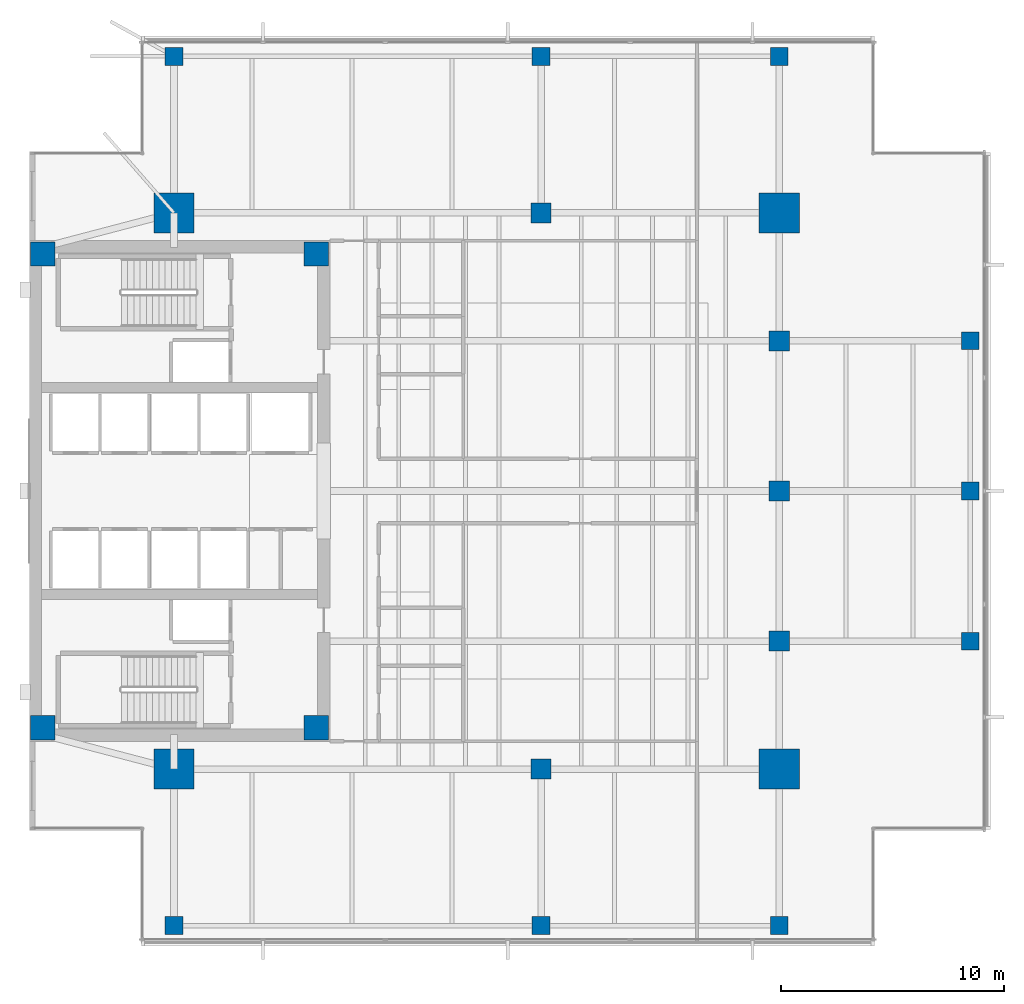
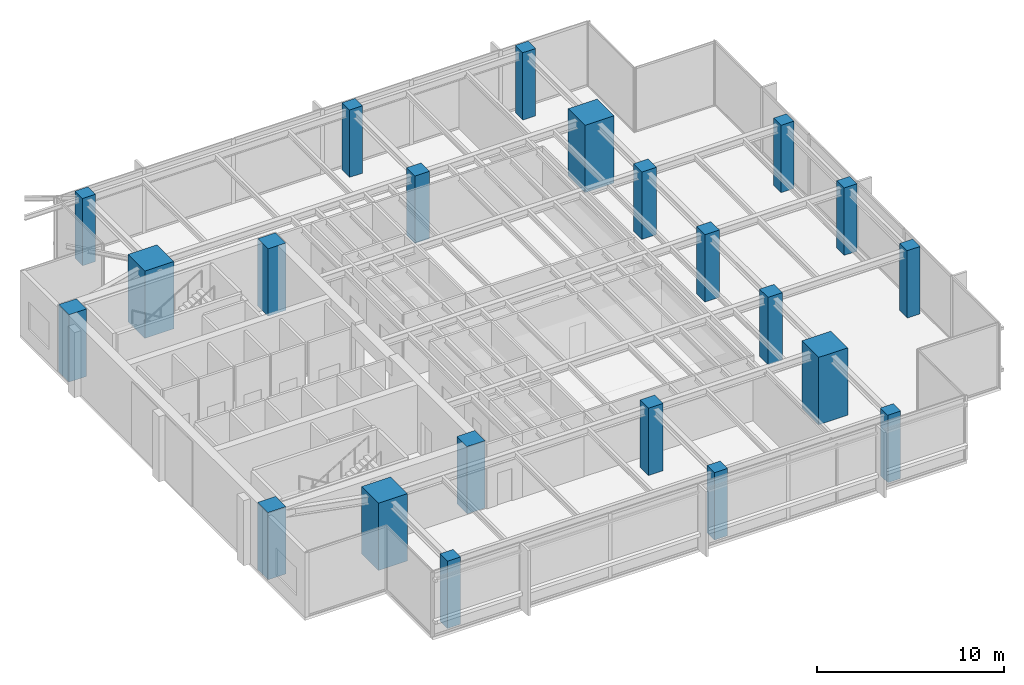
# One storey, part 1 of 14: 22 columns.
"""IFC4 building model written with IfcOpenShell, lengths in metres."""

from ifc_helpers import new_model, si_unit, direction, frame, origin, origin_2d, place, context, subcontext, project, spatial, rectangle, extrude, material, material_profile, profile_set, type_object, element, save


model = new_model("IFC4")

# Units and contexts
model_context = context("Model", 3, precision=1e-05, world=origin(), true_north=direction((0.0, 1.0)))
body_context = subcontext(model_context, "Body", "Model", "MODEL_VIEW")
ifc_project = project(units=[si_unit("LENGTHUNIT", "METRE"), si_unit("AREAUNIT", "SQUARE_METRE"), si_unit("VOLUMEUNIT", "CUBIC_METRE"), si_unit("PLANEANGLEUNIT", "RADIAN"), si_unit("MASSUNIT", "GRAM", prefix="KILO")], contexts=[model_context])

# Site, building, storey
site_placement = place(None, origin())
site = spatial("IfcSite", under=ifc_project, at=site_placement, CompositionType="ELEMENT")
building_placement = place(site_placement, origin())
building = spatial("IfcBuilding", under=site, at=building_placement, Name="Kinhvarn Gate Tower", CompositionType="ELEMENT")
storey_placement = place(building_placement, frame((0.0, 0.0, 183.64990234375)))
storey = spatial("IfcBuildingStorey", under=building, at=storey_placement, Name="L48", CompositionType="ELEMENT", Elevation=183.64990234375)

# Columns
ifc_material_1 = material(Name="Concrete C60/75", Category="concrete")
ifc_material_profile_1 = material_profile(ifc_material_1, rectangle(XDim=1.800048828125, YDim=1.800048828125, at=origin_2d()), Name="RC 1800x1800")
ifc_profile_set_1 = profile_set([ifc_material_profile_1], Name="Concrete C60/75")
column_type_1 = type_object("IfcColumnType", Name="COL-MC-1800", PredefinedType="COLUMN", material=ifc_profile_set_1)
for number, where, z_axis, x_axis, name in (
    (1, (11.0, 12.75, 0.0), (0.0, 0.0, 1.0), (1.0, 0.0, 0.0), "Column MC1-L48 (MC-18)"),
    (2, (11.0, 37.75, 0.0), (0.0, 0.0, 1.0), (1.0, 0.0, 0.0), "Column MC4-L48 (MC-18)"),
    (3, (38.199951171875, 12.75, 0.0), (0.0, 0.0, 1.0), (1.0, 0.0, 0.0), "Column MC2-L48 (MC-18)"),
    (4, (38.199951171875, 37.75, 0.0), (0.0, 0.0, 1.0), (1.0, 0.0, 0.0), "Column MC3-L48 (MC-18)"),
):
    element("IfcColumn", number, at=place(storey_placement, frame(where, z_axis=z_axis, x_axis=x_axis)), inside=storey, type_object=column_type_1, Name=name, PredefinedType="COLUMN", context=body_context, shape_type="SweptSolid", body=[
        extrude(rectangle(XDim=1.800048828125, YDim=1.800048828125, at=origin_2d()), origin(), (0.0, 0.0, 1.0), 4.400146484375),
    ])
ifc_material_2 = material(Name="Concrete C50/60", Category="concrete")
ifc_material_profile_2 = material_profile(ifc_material_2, rectangle(XDim=0.800048828125, YDim=0.800048828125, at=origin_2d()), Name="RC 800x800")
ifc_profile_set_2 = profile_set([ifc_material_profile_2], Name="Concrete C50/60")
column_type_2 = type_object("IfcColumnType", Name="COL-RC-800", PredefinedType="COLUMN", material=ifc_profile_set_2)
for number, where, z_axis, x_axis, name in (
    (5, (46.780029296875, 18.5, 0.0), (0.0, 0.0, 1.0), (1.0, 0.0, 0.0), "Column CE-1-L48 (C-080)"),
    (6, (46.780029296875, 25.25, 0.0), (0.0, 0.0, 1.0), (1.0, 0.0, 0.0), "Column CE-2-L48 (C-080)"),
    (7, (46.780029296875, 32.0, 0.0), (0.0, 0.0, 1.0), (1.0, 0.0, 0.0), "Column CE-3-L48 (C-080)"),
    (8, (11.0, 5.719970703125, 0.0), (0.0, 0.0, 1.0), (1.0, 0.0, 0.0), "Column CS-0-L48 (C-080)"),
    (9, (27.5, 5.719970703125, 0.0), (0.0, 0.0, 1.0), (1.0, 0.0, 0.0), "Column CS-1-L48 (C-080)"),
    (10, (38.199951171875, 5.719970703125, 0.0), (0.0, 0.0, 1.0), (1.0, 0.0, 0.0), "Column CS-2-L48 (C-080)"),
    (11, (11.0, 44.780029296875, 0.0), (0.0, 0.0, 1.0), (1.0, 0.0, 0.0), "Column CN-0-L48 (C-080)"),
    (12, (27.5, 44.780029296875, 0.0), (0.0, 0.0, 1.0), (1.0, 0.0, 0.0), "Column CN-1-L48 (C-080)"),
    (13, (38.199951171875, 44.780029296875, 0.0), (0.0, 0.0, 1.0), (1.0, 0.0, 0.0), "Column CN-2-L48 (C-080)"),
):
    element("IfcColumn", number, at=place(storey_placement, frame(where, z_axis=z_axis, x_axis=x_axis)), inside=storey, type_object=column_type_2, Name=name, PredefinedType="COLUMN", context=body_context, shape_type="SweptSolid", body=[
        extrude(rectangle(XDim=0.800048828125, YDim=0.800048828125, at=origin_2d()), origin(), (0.0, 0.0, 1.0), 4.400146484375),
    ])
ifc_material_profile_3 = material_profile(ifc_material_1, rectangle(XDim=0.89990234375, YDim=0.89990234375, at=origin_2d()), Name="RC 900x900")
ifc_profile_set_3 = profile_set([ifc_material_profile_3], Name="Concrete C60/75")
column_type_3 = type_object("IfcColumnType", Name="COL-RC-900", PredefinedType="COLUMN", material=ifc_profile_set_3)
for number, where, z_axis, x_axis, name in (
    (14, (27.5, 12.75, 0.0), (0.0, 0.0, 1.0), (1.0, 0.0, 0.0), "Column SP27-S-L48 (C-090)"),
    (15, (27.5, 37.75, 0.0), (0.0, 0.0, 1.0), (1.0, 0.0, 0.0), "Column SP27-N-L48 (C-090)"),
    (16, (38.199951171875, 18.5, 0.0), (0.0, 0.0, 1.0), (1.0, 0.0, 0.0), "Column SP38-E1-L48 (C-090)"),
    (17, (38.199951171875, 25.25, 0.0), (0.0, 0.0, 1.0), (1.0, 0.0, 0.0), "Column SP38-E2-L48 (C-090)"),
    (18, (38.199951171875, 32.0, 0.0), (0.0, 0.0, 1.0), (1.0, 0.0, 0.0), "Column SP38-E3-L48 (C-090)"),
):
    element("IfcColumn", number, at=place(storey_placement, frame(where, z_axis=z_axis, x_axis=x_axis)), inside=storey, type_object=column_type_3, Name=name, PredefinedType="COLUMN", context=body_context, shape_type="SweptSolid", body=[
        extrude(rectangle(XDim=0.89990234375, YDim=0.89990234375, at=origin_2d()), origin(), (0.0, 0.0, 1.0), 4.400146484375),
    ])
ifc_material_profile_4 = material_profile(ifc_material_1, rectangle(XDim=1.10009765625, YDim=1.10009765625, at=origin_2d()), Name="RC 1100x1100")
ifc_profile_set_4 = profile_set([ifc_material_profile_4], Name="Concrete C60/75")
column_type_4 = type_object("IfcColumnType", Name="PIL-RC-1100", PredefinedType="PILASTER", material=ifc_profile_set_4)
for number, where, z_axis, x_axis, name in (
    (19, (5.10009765625, 14.60009765625, 0.0), (0.0, 0.0, 1.0), (1.0, 0.0, 0.0), "Column CC-SW-L48 (CP-110)"),
    (20, (5.10009765625, 35.89990234375, 0.0), (0.0, 0.0, 1.0), (1.0, 0.0, 0.0), "Column CC-NW-L48 (CP-110)"),
    (21, (17.39990234375, 14.60009765625, 0.0), (0.0, 0.0, 1.0), (1.0, 0.0, 0.0), "Column CC-SE-L48 (CP-110)"),
    (22, (17.39990234375, 35.89990234375, 0.0), (0.0, 0.0, 1.0), (1.0, 0.0, 0.0), "Column CC-NE-L48 (CP-110)"),
):
    element("IfcColumn", number, at=place(storey_placement, frame(where, z_axis=z_axis, x_axis=x_axis)), inside=storey, type_object=column_type_4, Name=name, PredefinedType="PILASTER", context=body_context, shape_type="SweptSolid", body=[
        extrude(rectangle(XDim=1.10009765625, YDim=1.10009765625, at=origin_2d()), origin(), (0.0, 0.0, 1.0), 4.400146484375),
    ])

save(model, "model.ifc")
